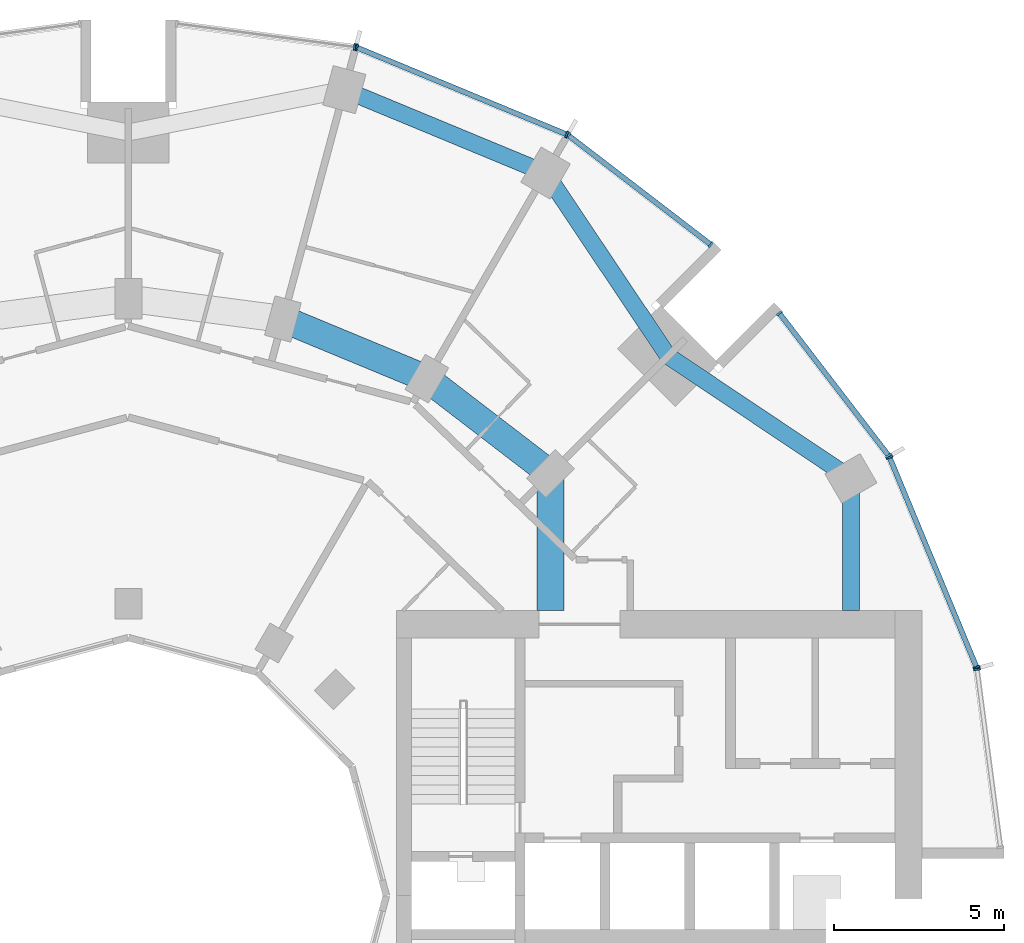
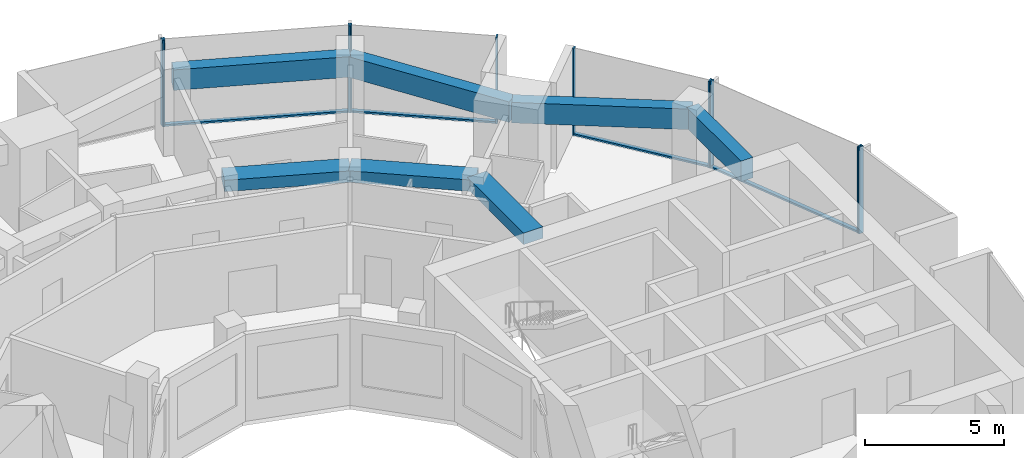
# One storey, part 6 of 15: 14 members, 7 beams, 6 elements without a shape of their own.
"""IFC4 building model written with IfcOpenShell, lengths in metres."""

from ifc_helpers import new_model, si_unit, direction, frame, origin, origin_2d, place, context, subcontext, project, spatial, rectangle, extrude, material, layer, layer_set, material_profile, profile_set, type_object, element, aggregate, save


model = new_model("IFC4")

# Units and contexts
model_context = context("Model", 3, precision=1e-05, world=origin(), true_north=direction((0.0, 1.0)))
body_context = subcontext(model_context, "Body", "Model", "MODEL_VIEW")
ifc_project = project(units=[si_unit("LENGTHUNIT", "METRE"), si_unit("AREAUNIT", "SQUARE_METRE"), si_unit("VOLUMEUNIT", "CUBIC_METRE"), si_unit("PLANEANGLEUNIT", "RADIAN"), si_unit("MASSUNIT", "GRAM", prefix="KILO")], contexts=[model_context])

# Site, building, storey
site_placement = place(None, origin())
site = spatial("IfcSite", under=ifc_project, at=site_placement, CompositionType="ELEMENT")
building_placement = place(site_placement, origin())
building = spatial("IfcBuilding", under=site, at=building_placement, Name="Torre Brocal", CompositionType="ELEMENT")
storey_placement = place(building_placement, frame((0.0, 0.0, 40.199951171875)))
storey = spatial("IfcBuildingStorey", under=building, at=storey_placement, Name="L08", CompositionType="ELEMENT", Elevation=40.199951171875)

# Curtain wall, members
ifc_material_1 = material(Name="Aluminium and glass", Category="aluminium")
ifc_layer_1 = layer(ifc_material_1, 0.199951171875)
ifc_layer_set_1 = layer_set([ifc_layer_1], Name="Aluminium and glass")
curtain_wall_type_1 = type_object("IfcCurtainWallType", Name="CW-1 CURTAIN WALL 3800 HIGH", PredefinedType="NOTDEFINED", material=ifc_layer_set_1)
curtain_wall_1_placement = place(storey_placement, origin())
curtain_wall_1 = element("IfcCurtainWall", 1, at=curtain_wall_1_placement, inside=storey, type_object=curtain_wall_type_1, Name="CW-1 RUN 2", PredefinedType="NOTDEFINED")
ifc_material_2 = material(Name="Aluminium, dark anodised", Category="aluminium")
ifc_material_profile_1 = material_profile(ifc_material_2, rectangle(XDim=0.199951171875, YDim=0.06005859375, at=origin_2d()), Name="CW-1 MULLION 60X200")
ifc_profile_set_1 = profile_set([ifc_material_profile_1], Name="Aluminium, dark anodised")
member_type_1 = type_object("IfcMemberType", Name="CW-1 MULLION 60X200", PredefinedType="MULLION", material=ifc_profile_set_1)
member_1_placement = place(storey_placement, frame((105.005126953125, 81.73095703125, 0.0), z_axis=(0.0, 0.0, 1.0), x_axis=(-0.923879532525, -0.382683432333, 0.0)))
member_1 = element("IfcMember", 2, at=member_1_placement, type_object=member_type_1, Name="CW1-1 mullion 1", PredefinedType="MULLION", context=body_context, shape_type="SweptSolid", body=[
    extrude(rectangle(XDim=0.199951171875, YDim=0.06005859375, at=origin_2d()), origin(), (0.0, 0.0, 1.0), 3.800048828125),
])
member_2_placement = place(storey_placement, frame((102.440673828125, 87.921875, 0.0), z_axis=(0.0, 0.0, 1.0), x_axis=(-0.923879532525, -0.382683432333, 0.0)))
member_2 = element("IfcMember", 3, at=member_2_placement, type_object=member_type_1, Name="CW1-1 mullion 2", PredefinedType="MULLION", context=body_context, shape_type="SweptSolid", body=[
    extrude(rectangle(XDim=0.199951171875, YDim=0.06005859375, at=origin_2d()), origin(), (0.0, 0.0, 1.0), 3.800048828125),
])

curtain_wall_2_placement = place(storey_placement, origin())
curtain_wall_2 = element("IfcCurtainWall", 4, at=curtain_wall_2_placement, inside=storey, type_object=curtain_wall_type_1, Name="CW-1 RUN 3", PredefinedType="NOTDEFINED")
member_3_placement = place(storey_placement, frame((102.4111328125, 87.973388671875, 0.0), z_axis=(0.0, 0.0, 1.0), x_axis=(-0.793353340259, -0.60876142905, 0.0)))
member_3 = element("IfcMember", 5, at=member_3_placement, type_object=member_type_1, Name="CW1-1 mullion 1", PredefinedType="MULLION", context=body_context, shape_type="SweptSolid", body=[
    extrude(rectangle(XDim=0.199951171875, YDim=0.06005859375, at=origin_2d()), origin(), (0.0, 0.0, 1.0), 3.800048828125),
])
member_4_placement = place(storey_placement, frame((99.19140625, 92.16943359375, 0.0), z_axis=(0.0, 0.0, 1.0), x_axis=(-0.793353340259, -0.60876142905, 0.0)))
member_4 = element("IfcMember", 6, at=member_4_placement, type_object=member_type_1, Name="CW1-1 mullion 2", PredefinedType="MULLION", context=body_context, shape_type="SweptSolid", body=[
    extrude(rectangle(XDim=0.199951171875, YDim=0.06005859375, at=origin_2d()), origin(), (0.0, 0.0, 1.0), 3.800048828125),
])

curtain_wall_3_placement = place(storey_placement, origin())
curtain_wall_3 = element("IfcCurtainWall", 7, at=curtain_wall_3_placement, inside=storey, type_object=curtain_wall_type_1, Name="CW-1 RUN 4", PredefinedType="NOTDEFINED")
member_5_placement = place(storey_placement, frame((97.16943359375, 94.19140625, 0.0), z_axis=(0.0, 0.0, 1.0), x_axis=(-0.60876142905, -0.793353340259, 0.0)))
member_5 = element("IfcMember", 8, at=member_5_placement, type_object=member_type_1, Name="CW1-1 mullion 1", PredefinedType="MULLION", context=body_context, shape_type="SweptSolid", body=[
    extrude(rectangle(XDim=0.199951171875, YDim=0.06005859375, at=origin_2d()), origin(), (0.0, 0.0, 1.0), 3.800048828125),
])
member_6_placement = place(storey_placement, frame((92.973388671875, 97.4111328125, 0.0), z_axis=(0.0, 0.0, 1.0), x_axis=(-0.60876142905, -0.793353340259, 0.0)))
member_6 = element("IfcMember", 9, at=member_6_placement, type_object=member_type_1, Name="CW1-1 mullion 2", PredefinedType="MULLION", context=body_context, shape_type="SweptSolid", body=[
    extrude(rectangle(XDim=0.199951171875, YDim=0.06005859375, at=origin_2d()), origin(), (0.0, 0.0, 1.0), 3.800048828125),
])

curtain_wall_4_placement = place(storey_placement, origin())
curtain_wall_4 = element("IfcCurtainWall", 10, at=curtain_wall_4_placement, inside=storey, type_object=curtain_wall_type_1, Name="CW-1 RUN 5", PredefinedType="NOTDEFINED")
member_7_placement = place(storey_placement, frame((92.921875, 97.440673828125, 0.0), z_axis=(0.0, 0.0, 1.0), x_axis=(-0.382683432333, -0.923879532525, 0.0)))
member_7 = element("IfcMember", 11, at=member_7_placement, type_object=member_type_1, Name="CW1-1 mullion 1", PredefinedType="MULLION", context=body_context, shape_type="SweptSolid", body=[
    extrude(rectangle(XDim=0.199951171875, YDim=0.06005859375, at=origin_2d()), origin(), (0.0, 0.0, 1.0), 3.800048828125),
])
member_8_placement = place(storey_placement, frame((86.73095703125, 100.005126953125, 0.0), z_axis=(0.0, 0.0, 1.0), x_axis=(-0.382683432333, -0.923879532525, 0.0)))
member_8 = element("IfcMember", 12, at=member_8_placement, type_object=member_type_1, Name="CW1-1 mullion 2", PredefinedType="MULLION", context=body_context, shape_type="SweptSolid", body=[
    extrude(rectangle(XDim=0.199951171875, YDim=0.06005859375, at=origin_2d()), origin(), (0.0, 0.0, 1.0), 3.800048828125),
])

# Curtain wall, member
curtain_wall_5_placement = place(storey_placement, origin())
curtain_wall_5 = element("IfcCurtainWall", 13, at=curtain_wall_5_placement, inside=storey, type_object=curtain_wall_type_1, Name="CW-1 RUN 6", PredefinedType="NOTDEFINED")
member_9_placement = place(storey_placement, frame((86.67333984375, 100.0205078125, 0.0), z_axis=(0.0, 0.0, 1.0), x_axis=(-0.13052619222, -0.991444861374, 0.0)))
member_9 = element("IfcMember", 14, at=member_9_placement, type_object=member_type_1, Name="CW1-1 mullion 1", PredefinedType="MULLION", context=body_context, shape_type="SweptSolid", body=[
    extrude(rectangle(XDim=0.199951171875, YDim=0.06005859375, at=origin_2d()), origin(), (0.0, 0.0, 1.0), 3.800048828125),
])
aggregate(curtain_wall_5, [member_9])

# Member
ifc_material_3 = material(Name="Aluminium, dark anodised", Category="aluminium")
ifc_material_profile_2 = material_profile(ifc_material_3, rectangle(XDim=0.159912109375, YDim=0.080078125, at=origin_2d()), Name="CW-1 TRANSOM 160X80")
ifc_profile_set_2 = profile_set([ifc_material_profile_2], Name="Aluminium, dark anodised")
member_type_2 = type_object("IfcMemberType", Name="CW-1 TRANSOM 160X80", PredefinedType="USERDEFINED", material=ifc_profile_set_2)
member_10_placement = place(storey_placement, frame((104.99365234375, 81.758544921875, 0.0400390625), z_axis=(-0.38266457234, 0.923887344364, 0.0), x_axis=(-0.923887344364, -0.38266457234, 0.0)))
member_10 = element("IfcMember", 15, at=member_10_placement, type_object=member_type_2, Name="CW1-1 transom 1.1", ObjectType="TRANSOM", PredefinedType="USERDEFINED", context=body_context, shape_type="SweptSolid", body=[
    extrude(rectangle(XDim=0.159912109375, YDim=0.080078125, at=origin_2d()), origin(), (0.0, 0.0, 1.0), 6.640869140625),
])

aggregate(curtain_wall_1, [member_1, member_2, member_10])

member_11_placement = place(storey_placement, frame((102.392822265625, 87.9970703125, 0.0400390625), z_axis=(-0.60874908096, 0.79336281513, 0.0), x_axis=(-0.79336281513, -0.60874908096, 0.0)))
member_11 = element("IfcMember", 16, at=member_11_placement, type_object=member_type_2, Name="CW1-1 transom 1.1", ObjectType="TRANSOM", PredefinedType="USERDEFINED", context=body_context, shape_type="SweptSolid", body=[
    extrude(rectangle(XDim=0.159912109375, YDim=0.080078125, at=origin_2d()), origin(), (0.0, 0.0, 1.0), 5.22900390625),
])

aggregate(curtain_wall_2, [member_3, member_4, member_11])

member_12_placement = place(storey_placement, frame((97.1455078125, 94.209716796875, 0.0400390625), z_axis=(-0.79336281513, 0.60874908096, 0.0), x_axis=(-0.60874908096, -0.79336281513, 0.0)))
member_12 = element("IfcMember", 17, at=member_12_placement, type_object=member_type_2, Name="CW1-1 transom 1.1", ObjectType="TRANSOM", PredefinedType="USERDEFINED", context=body_context, shape_type="SweptSolid", body=[
    extrude(rectangle(XDim=0.159912109375, YDim=0.080078125, at=origin_2d()), origin(), (0.0, 0.0, 1.0), 5.22900390625),
])

aggregate(curtain_wall_3, [member_5, member_6, member_12])

member_13_placement = place(storey_placement, frame((92.89404296875, 97.452392578125, 0.0400390625), z_axis=(-0.923887344364, 0.38266457234, 0.0), x_axis=(-0.38266457234, -0.923887344364, 0.0)))
member_13 = element("IfcMember", 18, at=member_13_placement, type_object=member_type_2, Name="CW1-1 transom 1.1", ObjectType="TRANSOM", PredefinedType="USERDEFINED", context=body_context, shape_type="SweptSolid", body=[
    extrude(rectangle(XDim=0.159912109375, YDim=0.080078125, at=origin_2d()), origin(), (0.0, 0.0, 1.0), 6.640869140625),
])

aggregate(curtain_wall_4, [member_7, member_8, member_13])

# Curtain wall, member
ifc_material_4 = material(Name="Aluminium and glass", Category="aluminium")
ifc_layer_2 = layer(ifc_material_4, 0.199951171875)
ifc_layer_set_2 = layer_set([ifc_layer_2], Name="Aluminium and glass")
curtain_wall_type_2 = type_object("IfcCurtainWallType", Name="CW-1B CURTAIN WALL 3800 HIGH", PredefinedType="NOTDEFINED", material=ifc_layer_set_2)
curtain_wall_6_placement = place(storey_placement, origin())
curtain_wall_6 = element("IfcCurtainWall", 19, at=curtain_wall_6_placement, inside=storey, type_object=curtain_wall_type_2, Name="CW-1B RUN 1", PredefinedType="NOTDEFINED")
ifc_material_5 = material(Name="Aluminium, dark anodised", Category="aluminium")
ifc_material_profile_3 = material_profile(ifc_material_5, rectangle(XDim=0.199951171875, YDim=0.06005859375, at=origin_2d()), Name="CW-1B MULLION 60X200")
ifc_profile_set_3 = profile_set([ifc_material_profile_3], Name="Aluminium, dark anodised")
member_type_3 = type_object("IfcMemberType", Name="CW-1B MULLION 60X200", PredefinedType="MULLION", material=ifc_profile_set_3)
member_14_placement = place(storey_placement, frame((105.0205078125, 81.67333984375, 0.0), z_axis=(0.0, 0.0, 1.0), x_axis=(-0.991444861374, -0.13052619222, 0.0)))
member_14 = element("IfcMember", 20, at=member_14_placement, type_object=member_type_3, Name="CW1B-1 mullion 2", PredefinedType="MULLION", context=body_context, shape_type="SweptSolid", body=[
    extrude(rectangle(XDim=0.199951171875, YDim=0.06005859375, at=origin_2d()), origin(), (0.0, 0.0, 1.0), 3.800048828125),
])
aggregate(curtain_wall_6, [member_14])

# Beams
ifc_material_6 = material(Name="Concrete C50", Category="concrete")
ifc_material_profile_4 = material_profile(ifc_material_6, rectangle(XDim=0.800048828125, YDim=0.5, at=origin_2d()), Name="RC 800X500")
ifc_profile_set_4 = profile_set([ifc_material_profile_4], Name="Concrete C50")
beam_type_1 = type_object("IfcBeamType", Name="RC BEAM 800X500 C50 TOP 3480", PredefinedType="BEAM", material=ifc_profile_set_4)
beam_1_placement = place(storey_placement, frame((92.445068359375, 87.445068359375, 3.22998046875), z_axis=(-0.793358265959, 0.6087550097, 0.0), x_axis=(-0.6087550097, -0.793358265959, 0.0)))
element("IfcBeam", 21, at=beam_1_placement, inside=storey, type_object=beam_type_1, Name="Beam BT-19", PredefinedType="BEAM", context=body_context, shape_type="SweptSolid", body=[
    extrude(rectangle(XDim=0.800048828125, YDim=0.5, at=origin_2d()), origin(), (0.0, 0.0, 1.0), 4.594482421875),
])
beam_2_placement = place(storey_placement, frame((88.800048828125, 90.241943359375, 3.22998046875), z_axis=(-0.923878240166, 0.382686552348, 0.0), x_axis=(-0.382686552348, -0.923878240166, 0.0)))
element("IfcBeam", 22, at=beam_2_placement, inside=storey, type_object=beam_type_1, Name="Beam BT-19", PredefinedType="BEAM", context=body_context, shape_type="SweptSolid", body=[
    extrude(rectangle(XDim=0.800048828125, YDim=0.5, at=origin_2d()), origin(), (0.0, 0.0, 1.0), 4.5947265625),
])
beam_3_placement = place(storey_placement, frame((92.445068359375, 87.445068359375, 3.22998046875), z_axis=(0.0, -1.0, 0.0), x_axis=(1.0, 0.0, 0.0)))
element("IfcBeam", 23, at=beam_3_placement, inside=storey, type_object=beam_type_1, Name="Beam BT-19", PredefinedType="BEAM", context=body_context, shape_type="SweptSolid", body=[
    extrude(rectangle(XDim=0.800048828125, YDim=0.5, at=origin_2d()), origin(), (0.0, 0.0, 1.0), 4.045166015625),
])
ifc_material_7 = material(Name="Concrete C50", Category="concrete")
ifc_material_profile_5 = material_profile(ifc_material_7, rectangle(XDim=0.5, YDim=0.89990234375, at=origin_2d()), Name="RC 500X900")
ifc_profile_set_5 = profile_set([ifc_material_profile_5], Name="Concrete C50")
beam_type_2 = type_object("IfcBeamType", Name="RC SPANDREL BEAM 500X900 C50 TOP 3480", PredefinedType="SPANDREL", material=ifc_profile_set_5)
for number, where, z_axis, x_axis, name in (
    (24, (101.30419921875, 87.300048828125, 3.030029296875), (-0.831076844476, 0.556157602282, 0.0), (-0.556157602282, -0.831076844476, 0.0), "Beam BT-20"),
    (25, (95.909912109375, 90.909912109375, 3.030029296875), (-0.556157602282, 0.831076844476, 0.0), (-0.831076844476, -0.556157602282, 0.0), "Beam BT-20"),
):
    element("IfcBeam", number, at=place(storey_placement, frame(where, z_axis=z_axis, x_axis=x_axis)), inside=storey, type_object=beam_type_2, Name=name, PredefinedType="SPANDREL", context=body_context, shape_type="SweptSolid", body=[
        extrude(rectangle(XDim=0.5, YDim=0.89990234375, at=origin_2d()), origin(), (0.0, 0.0, 1.0), 6.49072265625),
    ])
beam_4_placement = place(storey_placement, frame((92.300048828125, 96.30419921875, 3.030029296875), z_axis=(-0.923882462513, 0.382676358639, 0.0), x_axis=(-0.382676358639, -0.923882462513, 0.0)))
element("IfcBeam", 26, at=beam_4_placement, inside=storey, type_object=beam_type_2, Name="Beam BT-20", PredefinedType="SPANDREL", context=body_context, shape_type="SweptSolid", body=[
    extrude(rectangle(XDim=0.5, YDim=0.89990234375, at=origin_2d()), origin(), (0.0, 0.0, 1.0), 6.421875),
])
beam_5_placement = place(storey_placement, frame((101.30419921875, 87.300048828125, 3.030029296875), z_axis=(0.0, -1.0, 0.0), x_axis=(1.0, 0.0, 0.0)))
element("IfcBeam", 27, at=beam_5_placement, inside=storey, type_object=beam_type_2, Name="Beam BT-20", PredefinedType="SPANDREL", context=body_context, shape_type="SweptSolid", body=[
    extrude(rectangle(XDim=0.5, YDim=0.89990234375, at=origin_2d()), origin(), (0.0, 0.0, 1.0), 3.900146484375),
])

save(model, "model.ifc")
